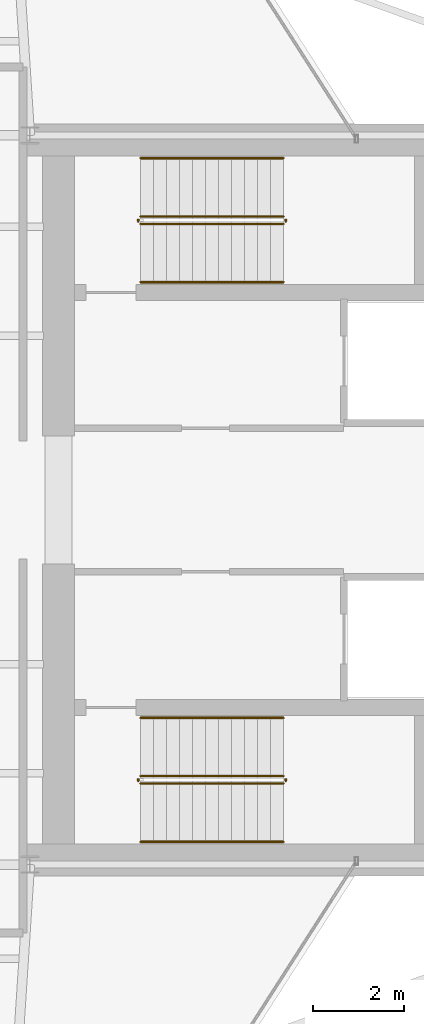
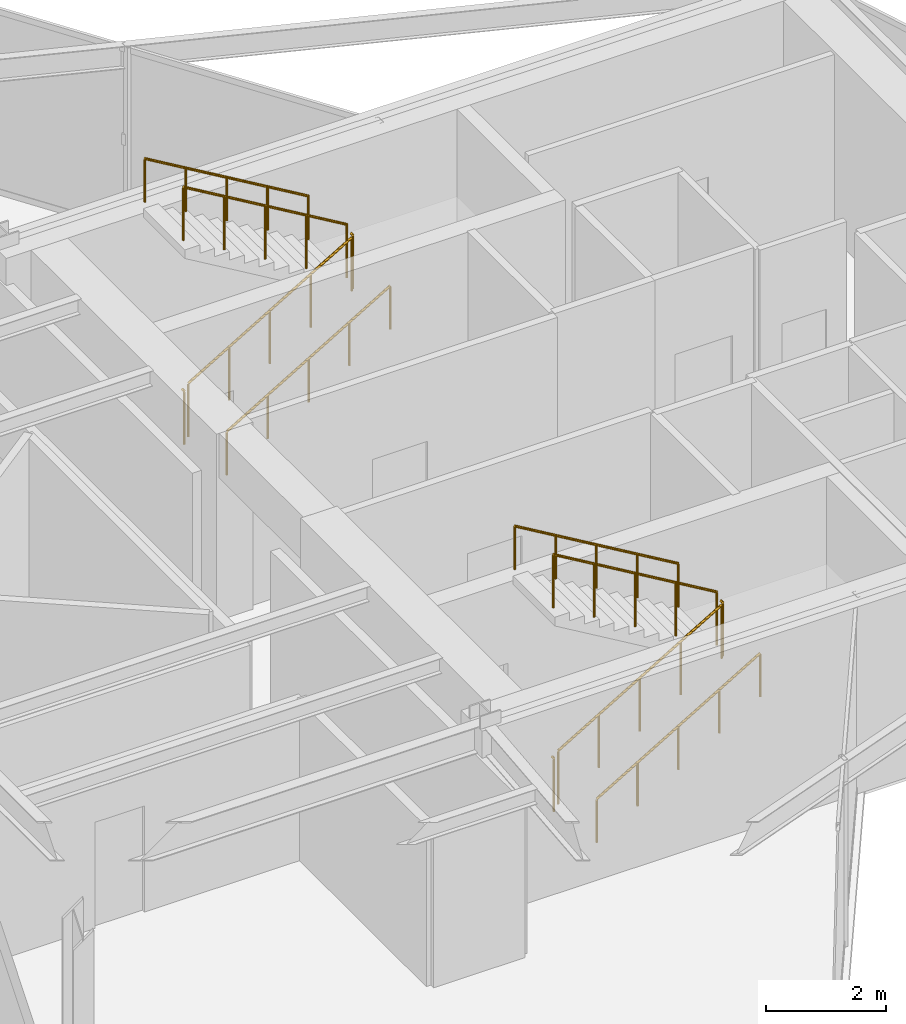
# One storey, part 23 of 23: 12 railings.
"""IFC4 building model written with IfcOpenShell, lengths in metres."""

from ifc_helpers import new_model, si_unit, direction, frame, origin, origin_2d, place, context, subcontext, project, spatial, circle, extrude, material, type_object, element, save


model = new_model("IFC4")

# Units and contexts
model_context = context("Model", 3, precision=1e-05, world=origin(), true_north=direction((0.0, 1.0)))
body_context = subcontext(model_context, "Body", "Model", "MODEL_VIEW")
ifc_project = project(units=[si_unit("LENGTHUNIT", "METRE"), si_unit("AREAUNIT", "SQUARE_METRE"), si_unit("VOLUMEUNIT", "CUBIC_METRE"), si_unit("PLANEANGLEUNIT", "RADIAN"), si_unit("MASSUNIT", "GRAM", prefix="KILO")], contexts=[model_context])

# Site, building, storey
site_placement = place(None, origin())
site = spatial("IfcSite", under=ifc_project, at=site_placement, CompositionType="ELEMENT")
building_placement = place(site_placement, origin())
building = spatial("IfcBuilding", under=site, at=building_placement, Name="Veymaron Broadcast Tower", CompositionType="ELEMENT")
storey_placement = place(building_placement, frame((0.0, 0.0, 191.85009765625)))
storey = spatial("IfcBuildingStorey", under=building, at=storey_placement, Name="L44", CompositionType="ELEMENT", Elevation=191.85009765625)

# Railings
ifc_material_1 = material(Name="Brushed stainless steel AISI 304", Category="steel")
railing_type_1 = type_object("IfcRailingType", Name="RAIL-STAIR-HR", PredefinedType="HANDRAIL", material=ifc_material_1)
railing_1_placement = place(storey_placement, frame((41.429931640625, 28.780029296875, 0.168701171875)))
element("IfcRailing", 1, at=railing_1_placement, inside=storey, type_object=railing_type_1, Name="L44 ST1 stair handrail 1", PredefinedType="HANDRAIL", context=body_context, shape_type="SweptSolid", body=[
    extrude(circle(Radius=0.02392578125, at=origin_2d()), frame((0.0, 0.0, 0.8759765625), z_axis=(0.860481960309, 0.0, 0.509480908359), x_axis=(0.0, 1.0, 0.0)), (0.0, 0.0, 1.0), 3.643310546875),
    extrude(circle(Radius=0.02099609375, at=origin_2d()), origin(), (0.0, 0.0, 1.0), 0.851806640625),
    extrude(circle(Radius=0.02099609375, at=origin_2d()), frame((0.78369140625, 0.0, 0.464111328125)), (0.0, 0.0, 1.0), 0.851806640625),
    extrude(circle(Radius=0.02099609375, at=origin_2d()), frame((1.5673828125, 0.0, 0.92822265625)), (0.0, 0.0, 1.0), 0.851806640625),
    extrude(circle(Radius=0.02099609375, at=origin_2d()), frame((2.351318359375, 0.0, 1.39208984375)), (0.0, 0.0, 1.0), 0.851806640625),
    extrude(circle(Radius=0.02099609375, at=origin_2d()), frame((3.135009765625, 0.0, 1.856201171875)), (0.0, 0.0, 1.0), 0.851806640625),
])
railing_2_placement = place(storey_placement, frame((44.56494140625, 31.5, 2.193603515625)))
element("IfcRailing", 2, at=railing_2_placement, inside=storey, type_object=railing_type_1, Name="L44 ST1 stair handrail 2", PredefinedType="HANDRAIL", context=body_context, shape_type="SweptSolid", body=[
    extrude(circle(Radius=0.02392578125, at=origin_2d()), frame((0.0, 0.0, 0.8759765625), z_axis=(-0.860481960309, 0.0, 0.509480908359), x_axis=(0.0, -1.0, 0.0)), (0.0, 0.0, 1.0), 3.643310546875),
    extrude(circle(Radius=0.02099609375, at=origin_2d()), origin(), (0.0, 0.0, 1.0), 0.851806640625),
    extrude(circle(Radius=0.02099609375, at=origin_2d()), frame((-0.78369140625, 0.0, 0.464111328125)), (0.0, 0.0, 1.0), 0.851806640625),
    extrude(circle(Radius=0.02099609375, at=origin_2d()), frame((-1.5673828125, 0.0, 0.92822265625)), (0.0, 0.0, 1.0), 0.851806640625),
    extrude(circle(Radius=0.02099609375, at=origin_2d()), frame((-2.351318359375, 0.0, 1.39208984375)), (0.0, 0.0, 1.0), 0.851806640625),
    extrude(circle(Radius=0.02099609375, at=origin_2d()), frame((-3.135009765625, 0.0, 1.856201171875)), (0.0, 0.0, 1.0), 0.851806640625),
])
railing_3_placement = place(storey_placement, frame((41.429931640625, 16.5, 0.168701171875)))
element("IfcRailing", 3, at=railing_3_placement, inside=storey, type_object=railing_type_1, Name="L44 ST2 stair handrail 1", PredefinedType="HANDRAIL", context=body_context, shape_type="SweptSolid", body=[
    extrude(circle(Radius=0.02392578125, at=origin_2d()), frame((0.0, 0.0, 0.8759765625), z_axis=(0.860481960309, 0.0, 0.509480908359), x_axis=(0.0, 1.0, 0.0)), (0.0, 0.0, 1.0), 3.643310546875),
    extrude(circle(Radius=0.02099609375, at=origin_2d()), origin(), (0.0, 0.0, 1.0), 0.851806640625),
    extrude(circle(Radius=0.02099609375, at=origin_2d()), frame((0.78369140625, 0.0, 0.464111328125)), (0.0, 0.0, 1.0), 0.851806640625),
    extrude(circle(Radius=0.02099609375, at=origin_2d()), frame((1.5673828125, 0.0, 0.92822265625)), (0.0, 0.0, 1.0), 0.851806640625),
    extrude(circle(Radius=0.02099609375, at=origin_2d()), frame((2.351318359375, 0.0, 1.39208984375)), (0.0, 0.0, 1.0), 0.851806640625),
    extrude(circle(Radius=0.02099609375, at=origin_2d()), frame((3.135009765625, 0.0, 1.856201171875)), (0.0, 0.0, 1.0), 0.851806640625),
])
railing_4_placement = place(storey_placement, frame((44.56494140625, 19.219970703125, 2.193603515625)))
element("IfcRailing", 4, at=railing_4_placement, inside=storey, type_object=railing_type_1, Name="L44 ST2 stair handrail 2", PredefinedType="HANDRAIL", context=body_context, shape_type="SweptSolid", body=[
    extrude(circle(Radius=0.02392578125, at=origin_2d()), frame((0.0, 0.0, 0.8759765625), z_axis=(-0.860481960309, 0.0, 0.509480908359), x_axis=(0.0, -1.0, 0.0)), (0.0, 0.0, 1.0), 3.643310546875),
    extrude(circle(Radius=0.02099609375, at=origin_2d()), origin(), (0.0, 0.0, 1.0), 0.851806640625),
    extrude(circle(Radius=0.02099609375, at=origin_2d()), frame((-0.78369140625, 0.0, 0.464111328125)), (0.0, 0.0, 1.0), 0.851806640625),
    extrude(circle(Radius=0.02099609375, at=origin_2d()), frame((-1.5673828125, 0.0, 0.92822265625)), (0.0, 0.0, 1.0), 0.851806640625),
    extrude(circle(Radius=0.02099609375, at=origin_2d()), frame((-2.351318359375, 0.0, 1.39208984375)), (0.0, 0.0, 1.0), 0.851806640625),
    extrude(circle(Radius=0.02099609375, at=origin_2d()), frame((-3.135009765625, 0.0, 1.856201171875)), (0.0, 0.0, 1.0), 0.851806640625),
])
ifc_material_2 = material(Name="Painted galvanized steel balustrade", Category="steel")
railing_type_2 = type_object("IfcRailingType", Name="RAIL-WELL-GRD", PredefinedType="GUARDRAIL", material=ifc_material_2)
railing_5_placement = place(storey_placement, frame((41.429931640625, 30.06005859375, 0.168701171875)))
element("IfcRailing", 5, at=railing_5_placement, inside=storey, type_object=railing_type_2, Name="L44 ST1 stair guard 1", PredefinedType="GUARDRAIL", context=body_context, shape_type="SweptSolid", body=[
    extrude(circle(Radius=0.02392578125, at=origin_2d()), frame((0.0, 0.0, 1.076171875), z_axis=(0.860481960309, 0.0, 0.509480908359), x_axis=(0.0, 1.0, 0.0)), (0.0, 0.0, 1.0), 3.643310546875),
    extrude(circle(Radius=0.02099609375, at=origin_2d()), origin(), (0.0, 0.0, 1.0), 1.052001953125),
    extrude(circle(Radius=0.02099609375, at=origin_2d()), frame((0.78369140625, 0.0, 0.464111328125)), (0.0, 0.0, 1.0), 1.052001953125),
    extrude(circle(Radius=0.02099609375, at=origin_2d()), frame((1.5673828125, 0.0, 0.92822265625)), (0.0, 0.0, 1.0), 1.052001953125),
    extrude(circle(Radius=0.02099609375, at=origin_2d()), frame((2.351318359375, 0.0, 1.39208984375)), (0.0, 0.0, 1.0), 1.052001953125),
    extrude(circle(Radius=0.02099609375, at=origin_2d()), frame((3.135009765625, 0.0, 1.856201171875)), (0.0, 0.0, 1.0), 1.052001953125),
])
railing_6_placement = place(storey_placement, frame((44.614990234375, 30.110107421875, 2.02490234375)))
element("IfcRailing", 6, at=railing_6_placement, inside=storey, type_object=railing_type_2, Name="L44 ST1 stair guard 2", PredefinedType="GUARDRAIL", context=body_context, shape_type="SweptSolid", body=[
    extrude(circle(Radius=0.02392578125, at=origin_2d()), frame((0.0, 0.0, 1.076171875), z_axis=(0.0, 1.0, 0.0), x_axis=(-1.0, 0.0, 0.0)), (0.0, 0.0, 1.0), 0.059814453125),
    extrude(circle(Radius=0.02099609375, at=origin_2d()), origin(), (0.0, 0.0, 1.0), 1.052001953125),
])
railing_7_placement = place(storey_placement, frame((44.56494140625, 30.219970703125, 2.193603515625)))
element("IfcRailing", 7, at=railing_7_placement, inside=storey, type_object=railing_type_2, Name="L44 ST1 stair guard 3", PredefinedType="GUARDRAIL", context=body_context, shape_type="SweptSolid", body=[
    extrude(circle(Radius=0.02392578125, at=origin_2d()), frame((0.0, 0.0, 1.076171875), z_axis=(-0.860481960309, 0.0, 0.509480908359), x_axis=(0.0, -1.0, 0.0)), (0.0, 0.0, 1.0), 3.643310546875),
    extrude(circle(Radius=0.02099609375, at=origin_2d()), origin(), (0.0, 0.0, 1.0), 1.052001953125),
    extrude(circle(Radius=0.02099609375, at=origin_2d()), frame((-0.78369140625, 0.0, 0.464111328125)), (0.0, 0.0, 1.0), 1.052001953125),
    extrude(circle(Radius=0.02099609375, at=origin_2d()), frame((-1.5673828125, 0.0, 0.92822265625)), (0.0, 0.0, 1.0), 1.052001953125),
    extrude(circle(Radius=0.02099609375, at=origin_2d()), frame((-2.351318359375, 0.0, 1.39208984375)), (0.0, 0.0, 1.0), 1.052001953125),
    extrude(circle(Radius=0.02099609375, at=origin_2d()), frame((-3.135009765625, 0.0, 1.856201171875)), (0.0, 0.0, 1.0), 1.052001953125),
])
railing_8_placement = place(storey_placement, frame((41.3798828125, 30.110107421875, 0.0)))
element("IfcRailing", 8, at=railing_8_placement, inside=storey, type_object=railing_type_2, Name="L44 ST1 stair guard 4", PredefinedType="GUARDRAIL", context=body_context, shape_type="SweptSolid", body=[
    extrude(circle(Radius=0.02392578125, at=origin_2d()), frame((0.0, 0.0, 1.076171875), z_axis=(0.0, 1.0, 0.0), x_axis=(-1.0, 0.0, 0.0)), (0.0, 0.0, 1.0), 0.059814453125),
    extrude(circle(Radius=0.02099609375, at=origin_2d()), origin(), (0.0, 0.0, 1.0), 1.052001953125),
])
railing_9_placement = place(storey_placement, frame((41.429931640625, 17.780029296875, 0.168701171875)))
element("IfcRailing", 9, at=railing_9_placement, inside=storey, type_object=railing_type_2, Name="L44 ST2 stair guard 1", PredefinedType="GUARDRAIL", context=body_context, shape_type="SweptSolid", body=[
    extrude(circle(Radius=0.02392578125, at=origin_2d()), frame((0.0, 0.0, 1.076171875), z_axis=(0.860481960309, 0.0, 0.509480908359), x_axis=(0.0, 1.0, 0.0)), (0.0, 0.0, 1.0), 3.643310546875),
    extrude(circle(Radius=0.02099609375, at=origin_2d()), origin(), (0.0, 0.0, 1.0), 1.052001953125),
    extrude(circle(Radius=0.02099609375, at=origin_2d()), frame((0.78369140625, 0.0, 0.464111328125)), (0.0, 0.0, 1.0), 1.052001953125),
    extrude(circle(Radius=0.02099609375, at=origin_2d()), frame((1.5673828125, 0.0, 0.92822265625)), (0.0, 0.0, 1.0), 1.052001953125),
    extrude(circle(Radius=0.02099609375, at=origin_2d()), frame((2.351318359375, 0.0, 1.39208984375)), (0.0, 0.0, 1.0), 1.052001953125),
    extrude(circle(Radius=0.02099609375, at=origin_2d()), frame((3.135009765625, 0.0, 1.856201171875)), (0.0, 0.0, 1.0), 1.052001953125),
])
railing_10_placement = place(storey_placement, frame((44.614990234375, 17.830078125, 2.02490234375)))
element("IfcRailing", 10, at=railing_10_placement, inside=storey, type_object=railing_type_2, Name="L44 ST2 stair guard 2", PredefinedType="GUARDRAIL", context=body_context, shape_type="SweptSolid", body=[
    extrude(circle(Radius=0.02392578125, at=origin_2d()), frame((0.0, 0.0, 1.076171875), z_axis=(0.0, 1.0, 0.0), x_axis=(-1.0, 0.0, 0.0)), (0.0, 0.0, 1.0), 0.059814453125),
    extrude(circle(Radius=0.02099609375, at=origin_2d()), origin(), (0.0, 0.0, 1.0), 1.052001953125),
])
railing_11_placement = place(storey_placement, frame((44.56494140625, 17.93994140625, 2.193603515625)))
element("IfcRailing", 11, at=railing_11_placement, inside=storey, type_object=railing_type_2, Name="L44 ST2 stair guard 3", PredefinedType="GUARDRAIL", context=body_context, shape_type="SweptSolid", body=[
    extrude(circle(Radius=0.02392578125, at=origin_2d()), frame((0.0, 0.0, 1.076171875), z_axis=(-0.860481960309, 0.0, 0.509480908359), x_axis=(0.0, -1.0, 0.0)), (0.0, 0.0, 1.0), 3.643310546875),
    extrude(circle(Radius=0.02099609375, at=origin_2d()), origin(), (0.0, 0.0, 1.0), 1.052001953125),
    extrude(circle(Radius=0.02099609375, at=origin_2d()), frame((-0.78369140625, 0.0, 0.464111328125)), (0.0, 0.0, 1.0), 1.052001953125),
    extrude(circle(Radius=0.02099609375, at=origin_2d()), frame((-1.5673828125, 0.0, 0.92822265625)), (0.0, 0.0, 1.0), 1.052001953125),
    extrude(circle(Radius=0.02099609375, at=origin_2d()), frame((-2.351318359375, 0.0, 1.39208984375)), (0.0, 0.0, 1.0), 1.052001953125),
    extrude(circle(Radius=0.02099609375, at=origin_2d()), frame((-3.135009765625, 0.0, 1.856201171875)), (0.0, 0.0, 1.0), 1.052001953125),
])
railing_12_placement = place(storey_placement, frame((41.3798828125, 17.830078125, 0.0)))
element("IfcRailing", 12, at=railing_12_placement, inside=storey, type_object=railing_type_2, Name="L44 ST2 stair guard 4", PredefinedType="GUARDRAIL", context=body_context, shape_type="SweptSolid", body=[
    extrude(circle(Radius=0.02392578125, at=origin_2d()), frame((0.0, 0.0, 1.076171875), z_axis=(0.0, 1.0, 0.0), x_axis=(-1.0, 0.0, 0.0)), (0.0, 0.0, 1.0), 0.059814453125),
    extrude(circle(Radius=0.02099609375, at=origin_2d()), origin(), (0.0, 0.0, 1.0), 1.052001953125),
])

save(model, "model.ifc")
